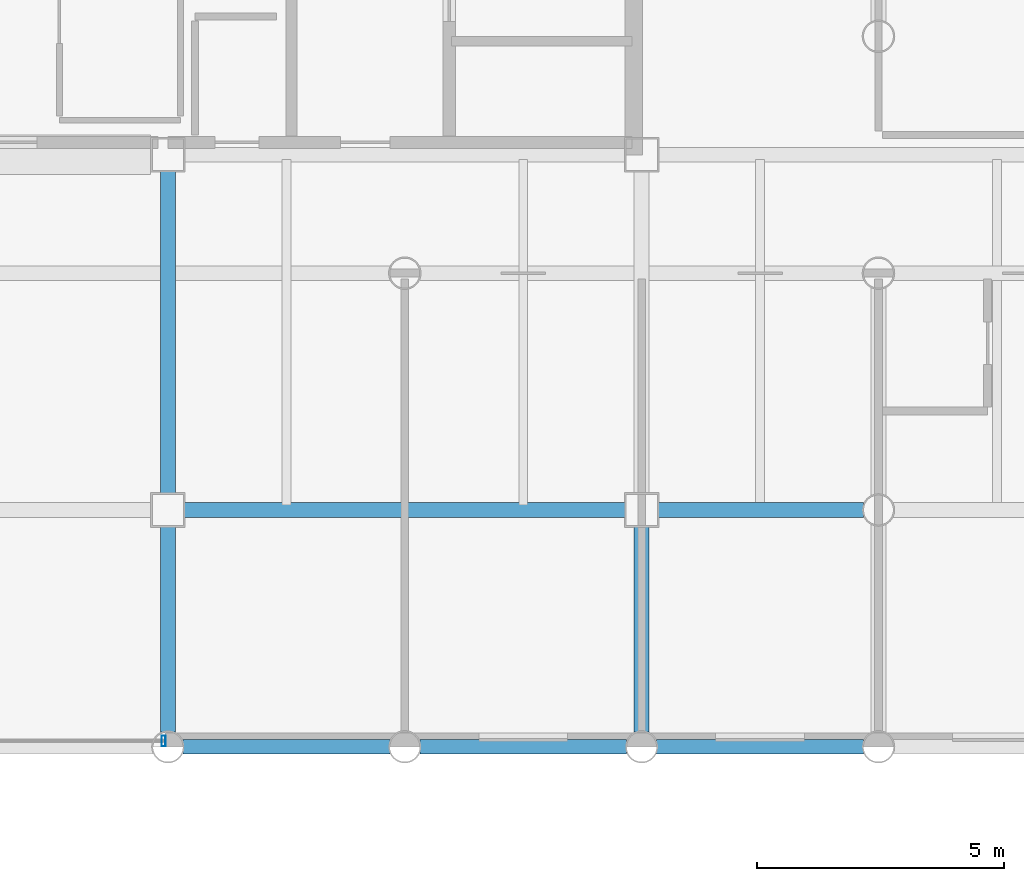
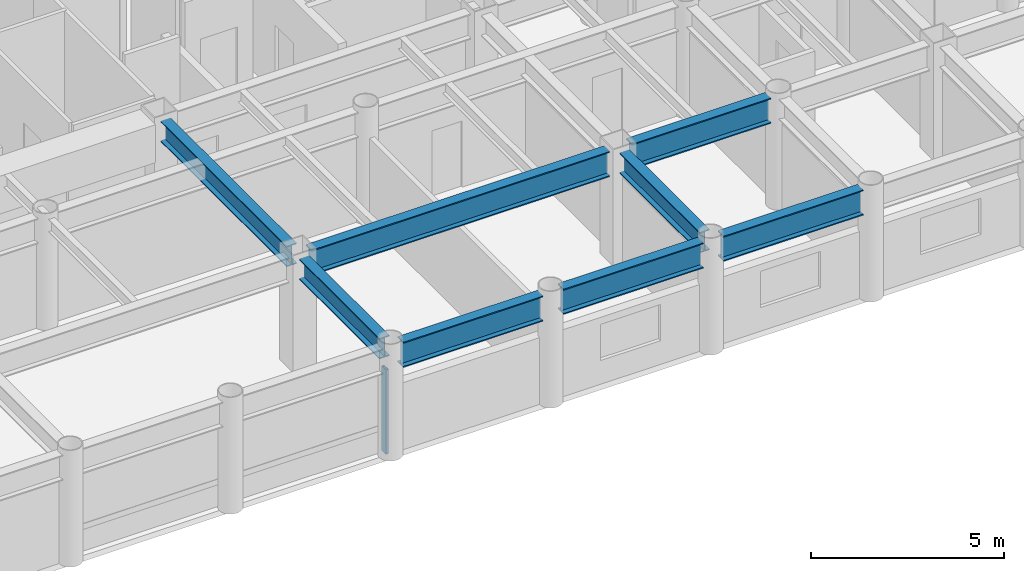
# One storey, part 6 of 22: 8 beams, 1 member, 1 element without a shape of its own.
"""IFC4 building model written with IfcOpenShell, lengths in metres."""

import ifcopenshell
import ifcopenshell.guid

model = None  # the IFC model being written
_history = None  # IfcOwnerHistory: only IFC2X3 demands one
_inside = {}  # id of a spatial element -> (the spatial element, [elements in it])
_under = {}  # id of a project, library or spatial element -> (it, [spatial elements below it])
_declared = {}  # id of a project -> (the project, [libraries it declares])
_typed = {}  # id of a type object -> (the type object, [elements of that type])
_made_of = {}  # id of a material, layer set ... -> (it, [elements and type objects made of it])


def new_model(schema):
    """Start an empty IFC model of exactly this schema.

    Asked for "IFC4X3", IfcOpenShell would pick the latest addendum, in which some entities
    have other attributes; the version numbers below select the first issue.
    IFC2X3 requires an IfcOwnerHistory on every rooted entity: one is made here for all.
    """
    global model, _history
    if schema == "IFC4X3":
        model = ifcopenshell.file(schema_version=(4, 3, 0, 0))
    else:
        model = ifcopenshell.file(schema=schema)
    _inside.clear()
    _under.clear()
    _declared.clear()
    _typed.clear()
    _made_of.clear()
    _history = None
    if model.schema == "IFC2X3":
        org = make("IfcOrganization", Name="unknown")
        user = make(
            "IfcPersonAndOrganization",
            ThePerson=make("IfcPerson", FamilyName="unknown"),
            TheOrganization=org,
        )
        app = make(
            "IfcApplication",
            ApplicationDeveloper=org,
            Version="unknown",
            ApplicationFullName="unknown",
            ApplicationIdentifier="unknown",
        )
        _history = make(
            "IfcOwnerHistory",
            OwningUser=user,
            OwningApplication=app,
            ChangeAction="ADDED",
            CreationDate=0,
        )
    return model


def make(cls, **values):
    """One entity of the class cls with the attributes given. An attribute that is None is left unset."""
    return model.create_entity(
        cls, **{name: value for name, value in values.items() if value is not None}
    )


def rooted(cls, **values):
    """An entity with a GlobalId (a new one), such as an element, a storey or a relation."""
    return make(cls, GlobalId=ifcopenshell.guid.new(), OwnerHistory=_history, **values)


def si_unit(unit_type, name, prefix=None):
    """IfcSIUnit, for example si_unit("LENGTHUNIT", "METRE", prefix="MILLI")."""
    return make("IfcSIUnit", UnitType=unit_type, Prefix=prefix, Name=name)


def assignment(units):
    """IfcUnitAssignment: the units of a project."""
    return None if units is None else make("IfcUnitAssignment", Units=units)


def point(xyz):
    """IfcCartesianPoint."""
    return None if xyz is None else make("IfcCartesianPoint", Coordinates=xyz)


def direction(xyz):
    """IfcDirection."""
    return None if xyz is None else make("IfcDirection", DirectionRatios=xyz)


def frame(location, z_axis=None, x_axis=None):
    """IfcAxis2Placement3D, a coordinate frame: its origin and axes. An axis left out is left unset."""
    return make(
        "IfcAxis2Placement3D",
        Location=point(location),
        Axis=direction(z_axis),
        RefDirection=direction(x_axis),
    )


def frame_2d(location, x_axis=None):
    """IfcAxis2Placement2D, a coordinate frame in the plane: its origin and x axis."""
    return make(
        "IfcAxis2Placement2D", Location=point(location), RefDirection=direction(x_axis)
    )


def origin():
    """The frame at (0, 0, 0) with its axes left unset."""
    return frame((0.0, 0.0, 0.0))


def origin_2d():
    """The frame at (0, 0) in the plane with its x axis left unset."""
    return frame_2d((0.0, 0.0))


def place(relative_to, where):
    """IfcLocalPlacement: puts the frame where relative to a parent placement (None: the world)."""
    return make(
        "IfcLocalPlacement", PlacementRelTo=relative_to, RelativePlacement=where
    )


def context(
    kind, dimensions, precision=None, world=None, true_north=None, identifier=None
):
    """IfcGeometricRepresentationContext, for example the 3D "Model" context."""
    return make(
        "IfcGeometricRepresentationContext",
        ContextIdentifier=identifier,
        ContextType=kind,
        CoordinateSpaceDimension=dimensions,
        Precision=precision,
        WorldCoordinateSystem=world,
        TrueNorth=true_north,
    )


def subcontext(parent, identifier, kind, view, scale=None):
    """IfcGeometricRepresentationSubContext, for example "Body" below "Model"."""
    return make(
        "IfcGeometricRepresentationSubContext",
        ContextIdentifier=identifier,
        ContextType=kind,
        ParentContext=parent,
        TargetScale=scale,
        TargetView=view,
    )


def project(units=None, contexts=None):
    """IfcProject with its units and contexts."""
    return rooted(
        "IfcProject",
        Name="project",
        RepresentationContexts=contexts,
        UnitsInContext=assignment(units),
    )


def spatial(cls, under=None, at=None, **own):
    """A site, building, storey or space (cls), placed at a placement, below another one or the project."""
    s = rooted(cls, ObjectPlacement=at, **own)
    if under is not None:
        _under.setdefault(under.id(), (under, []))[1].append(s)
    return s


def profile(cls, at=None, kind="AREA", **sizes):
    """A parametric profile (cls). Its sizes go by their IFC names, for example OverallWidth=200.0."""
    return make(cls, ProfileType=kind, Position=at, **sizes)


def hollow_rectangle(**sizes):
    """IfcRectangleHollowProfileDef."""
    return profile("IfcRectangleHollowProfileDef", **sizes)


def i_section(**sizes):
    """IfcIShapeProfileDef."""
    return profile("IfcIShapeProfileDef", **sizes)


def extrude(swept, where, along, depth):
    """IfcExtrudedAreaSolid: the profile swept, set in the frame where, extruded along a direction by depth."""
    return make(
        "IfcExtrudedAreaSolid",
        SweptArea=swept,
        Position=where,
        ExtrudedDirection=direction(along),
        Depth=depth,
    )


def shape(context_of_items, identifier, shape_type, items):
    """IfcShapeRepresentation: the items that make up one representation, for example the "Body"."""
    return make(
        "IfcShapeRepresentation",
        ContextOfItems=context_of_items,
        RepresentationIdentifier=identifier,
        RepresentationType=shape_type,
        Items=items,
    )


def material(Name=None, Category=None):
    """IfcMaterial."""
    return make("IfcMaterial", Name=Name, Category=Category)


def layer(
    of_material, thickness, ventilated=None, Name=None, Category=None, Priority=None
):
    """IfcMaterialLayer: one layer of a wall or slab, of a material (None: an air gap)."""
    return make(
        "IfcMaterialLayer",
        Material=of_material,
        LayerThickness=thickness,
        IsVentilated=ventilated,
        Name=Name,
        Category=Category,
        Priority=Priority,
    )


def layer_set(layers, Name=None):
    """IfcMaterialLayerSet."""
    return make("IfcMaterialLayerSet", MaterialLayers=layers, LayerSetName=Name)


def material_profile(
    of_material, cross_section, Name=None, Category=None, Priority=None
):
    """IfcMaterialProfile: a cross section and its material."""
    return make(
        "IfcMaterialProfile",
        Name=Name,
        Material=of_material,
        Profile=cross_section,
        Priority=Priority,
        Category=Category,
    )


def profile_set(profiles, Name=None, composite=None):
    """IfcMaterialProfileSet."""
    return make(
        "IfcMaterialProfileSet",
        Name=Name,
        MaterialProfiles=profiles,
        CompositeProfile=composite,
    )


def made_of(thing, what):
    """Note that an element or type object is made of a material, layer set ...; save() writes the relation."""
    if what is not None:
        _made_of.setdefault(what.id(), (what, []))[1].append(thing)
    return thing


def type_object(cls, material=None, **own):
    """A type object (cls), such as IfcWallType, which elements share."""
    return made_of(rooted(cls, **own), material)


def element(
    cls,
    number,
    at=None,
    inside=None,
    cuts=None,
    type_object=None,
    material=None,
    context=None,
    identifier="Body",
    shape_type=None,
    held_by="IfcProductDefinitionShape",
    body=None,
    shapes=None,
    **own,
):
    """One element of the class cls, such as IfcWall. Its Tag is "e" and its number.

    at: its placement. inside: the storey or other place that contains it. cuts: it is an
    opening in that element (IfcRelVoidsElement). A single representation is given by context,
    identifier, shape_type and body (its items); several are given by shapes. held_by: the class
    of the entity that holds the representations. save() writes the other relations.
    """
    e = rooted(cls, Tag="e%d" % number, ObjectPlacement=at, **own)
    if body is not None:
        shapes = [shape(context, identifier, shape_type, body)]
    if shapes is not None:
        e.Representation = make(held_by, Representations=shapes)
    if inside is not None:
        _inside.setdefault(inside.id(), (inside, []))[1].append(e)
    if cuts is not None:
        rooted(
            "IfcRelVoidsElement", RelatingBuildingElement=cuts, RelatedOpeningElement=e
        )
    if type_object is not None:
        _typed.setdefault(type_object.id(), (type_object, []))[1].append(e)
    return made_of(e, material)


def aggregate(whole, parts):
    """IfcRelAggregates: a whole, such as a stair, and the parts it consists of."""
    return rooted("IfcRelAggregates", RelatingObject=whole, RelatedObjects=parts)


def save(model, path):
    """Write the relations noted so far, then the file.

    IfcRelAggregates (storeys below a building ...), IfcRelContainedInSpatialStructure (elements
    in a storey), IfcRelDefinesByType, IfcRelAssociatesMaterial and IfcRelDeclares: one each for
    every whole, place, type object, material and project.
    """
    for whole, parts in _under.values():
        aggregate(whole, parts)
    for where, things in _inside.values():
        rooted(
            "IfcRelContainedInSpatialStructure",
            RelatedElements=things,
            RelatingStructure=where,
        )
    for kind, things in _typed.values():
        rooted("IfcRelDefinesByType", RelatedObjects=things, RelatingType=kind)
    for what, things in _made_of.values():
        rooted("IfcRelAssociatesMaterial", RelatedObjects=things, RelatingMaterial=what)
    for by, libraries in _declared.values():
        rooted("IfcRelDeclares", RelatingContext=by, RelatedDefinitions=libraries)
    model.write(path)


model = new_model("IFC4")

# Units and contexts
model_context = context("Model", 3, precision=1e-05, world=origin(), true_north=direction((0.0, 1.0)))
body_context = subcontext(model_context, "Body", "Model", "MODEL_VIEW")
ifc_project = project(units=[si_unit("LENGTHUNIT", "METRE"), si_unit("AREAUNIT", "SQUARE_METRE"), si_unit("VOLUMEUNIT", "CUBIC_METRE"), si_unit("PLANEANGLEUNIT", "RADIAN"), si_unit("MASSUNIT", "GRAM", prefix="KILO")], contexts=[model_context])

# Site, building, storey
site_placement = place(None, origin())
site = spatial("IfcSite", under=ifc_project, at=site_placement, CompositionType="ELEMENT")
building_placement = place(site_placement, origin())
building = spatial("IfcBuilding", under=site, at=building_placement, Name="Kallvorn Hotel Tower", CompositionType="ELEMENT")
storey_placement = place(building_placement, frame((0.0, 0.0, 102.60009765625)))
storey = spatial("IfcBuildingStorey", under=building, at=storey_placement, Name="L24", CompositionType="ELEMENT", Elevation=102.60009765625)

# Beams
ifc_material_1 = material(Name="Structural steel S355JR", Category="steel")
ifc_material_profile_1 = material_profile(ifc_material_1, i_section(OverallWidth=0.300048828125, OverallDepth=0.64990234375, WebThickness=0.01611328125, FlangeThickness=0.031005859375, at=origin_2d()), Name="HE 650 B")
ifc_profile_set_1 = profile_set([ifc_material_profile_1], Name="Structural steel S355JR")
beam_type_1 = type_object("IfcBeamType", Name="BM_HE650B", PredefinedType="BEAM", material=ifc_profile_set_1)
beam_1_placement = place(storey_placement, frame((4.800048828125, -18.89501953125, 3.19482421875), z_axis=(0.0, 1.0, 0.0), x_axis=(-1.0, 0.0, 0.0)))
element("IfcBeam", 1, at=beam_1_placement, inside=storey, type_object=beam_type_1, Name="L25 Primary Y-Girder 113", PredefinedType="BEAM", context=body_context, shape_type="SweptSolid", body=[
    extrude(i_section(OverallWidth=0.300048828125, OverallDepth=0.64990234375, WebThickness=0.01611328125, FlangeThickness=0.031005859375, at=origin_2d()), origin(), (0.0, 0.0, 1.0), 4.169921875),
])
beam_2_placement = place(storey_placement, frame((4.800048828125, -14.074951171875, 3.19482421875), z_axis=(0.0, 1.0, 0.0), x_axis=(-1.0, 0.0, 0.0)))
element("IfcBeam", 2, at=beam_2_placement, inside=storey, type_object=beam_type_1, Name="L25 Primary Y-Girder 114", PredefinedType="BEAM", context=body_context, shape_type="SweptSolid", body=[
    extrude(i_section(OverallWidth=0.300048828125, OverallDepth=0.64990234375, WebThickness=0.01611328125, FlangeThickness=0.031005859375, at=origin_2d()), origin(), (0.0, 0.0, 1.0), 6.550048828125),
])
beam_3_placement = place(storey_placement, frame((14.39990234375, -18.89501953125, 3.19482421875), z_axis=(0.0, 1.0, 0.0), x_axis=(-1.0, 0.0, 0.0)))
element("IfcBeam", 3, at=beam_3_placement, inside=storey, type_object=beam_type_1, Name="L25 Primary Y-Girder 121", PredefinedType="BEAM", context=body_context, shape_type="SweptSolid", body=[
    extrude(i_section(OverallWidth=0.300048828125, OverallDepth=0.64990234375, WebThickness=0.01611328125, FlangeThickness=0.031005859375, at=origin_2d()), origin(), (0.0, 0.0, 1.0), 4.169921875),
])
ifc_material_2 = material(Name="Structural steel S355JR", Category="steel")
ifc_material_profile_2 = material_profile(ifc_material_2, i_section(OverallWidth=0.300048828125, OverallDepth=0.800048828125, WebThickness=0.017578125, FlangeThickness=0.032958984375, at=origin_2d()), Name="HE 800 B")
ifc_profile_set_2 = profile_set([ifc_material_profile_2], Name="Structural steel S355JR")
beam_type_2 = type_object("IfcBeamType", Name="BM_HE800B", PredefinedType="BEAM", material=ifc_profile_set_2)
for number, where, z_axis, x_axis, name in (
    (4, (5.10498046875, -19.199951171875, 3.119873046875), (1.0, 0.0, 0.0), (0.0, 1.0, 0.0), "L25 Primary X-Girder 08"),
    (5, (9.905029296875, -19.199951171875, 3.119873046875), (1.0, 0.0, 0.0), (0.0, 1.0, 0.0), "L25 Primary X-Girder 09"),
    (6, (14.705078125, -19.199951171875, 3.119873046875), (1.0, 0.0, 0.0), (0.0, 1.0, 0.0), "L25 Primary X-Girder 10"),
):
    element("IfcBeam", number, at=place(storey_placement, frame(where, z_axis=z_axis, x_axis=x_axis)), inside=storey, type_object=beam_type_2, Name=name, PredefinedType="BEAM", context=body_context, shape_type="SweptSolid", body=[
        extrude(i_section(OverallWidth=0.300048828125, OverallDepth=0.800048828125, WebThickness=0.017578125, FlangeThickness=0.032958984375, at=origin_2d()), origin(), (0.0, 0.0, 1.0), 4.18994140625),
    ])
beam_4_placement = place(storey_placement, frame((5.125, -14.39990234375, 3.119873046875), z_axis=(1.0, 0.0, 0.0), x_axis=(0.0, 1.0, 0.0)))
element("IfcBeam", 7, at=beam_4_placement, inside=storey, type_object=beam_type_2, Name="L25 Primary X-Girder 18", PredefinedType="BEAM", context=body_context, shape_type="SweptSolid", body=[
    extrude(i_section(OverallWidth=0.300048828125, OverallDepth=0.800048828125, WebThickness=0.017578125, FlangeThickness=0.032958984375, at=origin_2d()), origin(), (0.0, 0.0, 1.0), 8.949951171875),
])
beam_5_placement = place(storey_placement, frame((14.72509765625, -14.39990234375, 3.119873046875), z_axis=(1.0, 0.0, 0.0), x_axis=(0.0, 1.0, 0.0)))
element("IfcBeam", 8, at=beam_5_placement, inside=storey, type_object=beam_type_2, Name="L25 Primary X-Girder 19", PredefinedType="BEAM", context=body_context, shape_type="SweptSolid", body=[
    extrude(i_section(OverallWidth=0.300048828125, OverallDepth=0.800048828125, WebThickness=0.017578125, FlangeThickness=0.032958984375, at=origin_2d()), origin(), (0.0, 0.0, 1.0), 4.169921875),
])

# Curtain wall, member
ifc_material_3 = material(Name="Thermally broken black-anodised aluminium AA 6063-T6", Category="aluminium")
ifc_layer = layer(ifc_material_3, 0.199951171875)
ifc_layer_set = layer_set([ifc_layer], Name="CW_SYS_3_HOTEL_LOW")
curtain_wall_type = type_object("IfcCurtainWallType", Name="CW_SYS_3_HOTEL_LOW", PredefinedType="USERDEFINED", material=ifc_layer_set)
curtain_wall_placement = place(storey_placement, origin())
curtain_wall = element("IfcCurtainWall", 9, at=curtain_wall_placement, inside=storey, type_object=curtain_wall_type, Name="L24 Dark-Glass Curtain Wall CW-L24-SC", ObjectType="UNITISED CURTAIN WALL", PredefinedType="USERDEFINED")
ifc_material_4 = material(Name="Thermally broken black-anodised aluminium AA 6063-T6", Category="aluminium")
ifc_material_profile_3 = material_profile(ifc_material_4, hollow_rectangle(XDim=0.080078125, YDim=0.219970703125, WallThickness=0.0048828125, at=origin_2d()), Name="MUL 220x80")
ifc_profile_set_3 = profile_set([ifc_material_profile_3], Name="Thermally broken black-anodised aluminium AA 6063-T6")
member_type = type_object("IfcMemberType", Name="CW_MULLION_220x80", PredefinedType="MULLION", material=ifc_profile_set_3)
member_placement = place(storey_placement, frame((4.7099609375, -19.080078125, 0.02001953125), z_axis=(0.0, 0.0, 1.0), x_axis=(1.0, 0.0, 0.0)))
member = element("IfcMember", 10, at=member_placement, type_object=member_type, Name="CW-L24-SC Mullion 02", PredefinedType="MULLION", context=body_context, shape_type="SweptSolid", body=[
    extrude(hollow_rectangle(XDim=0.080078125, YDim=0.219970703125, WallThickness=0.0048828125, at=origin_2d()), origin(), (0.0, 0.0, 1.0), 2.679931640625),
])
aggregate(curtain_wall, [member])

save(model, "model.ifc")
